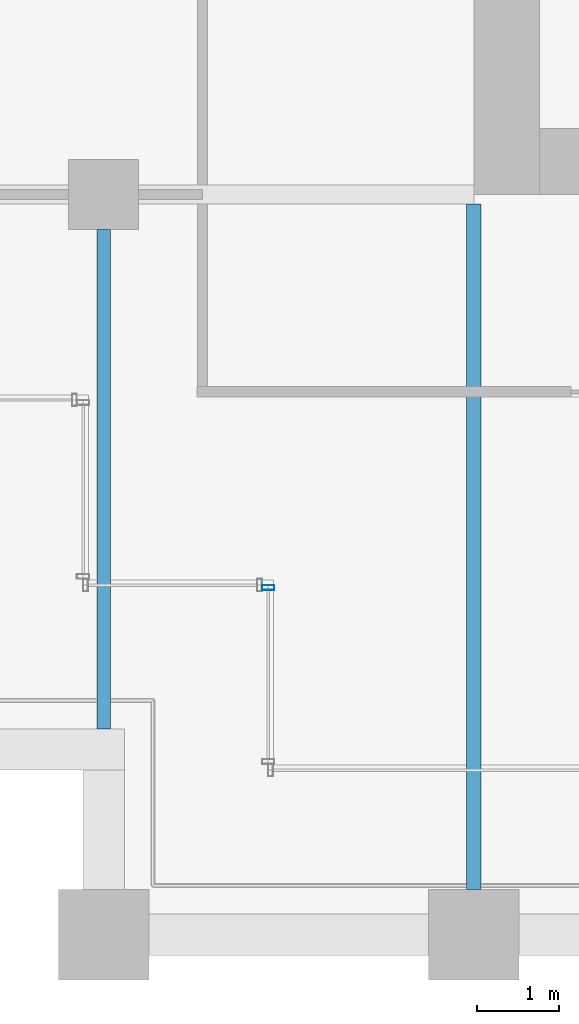
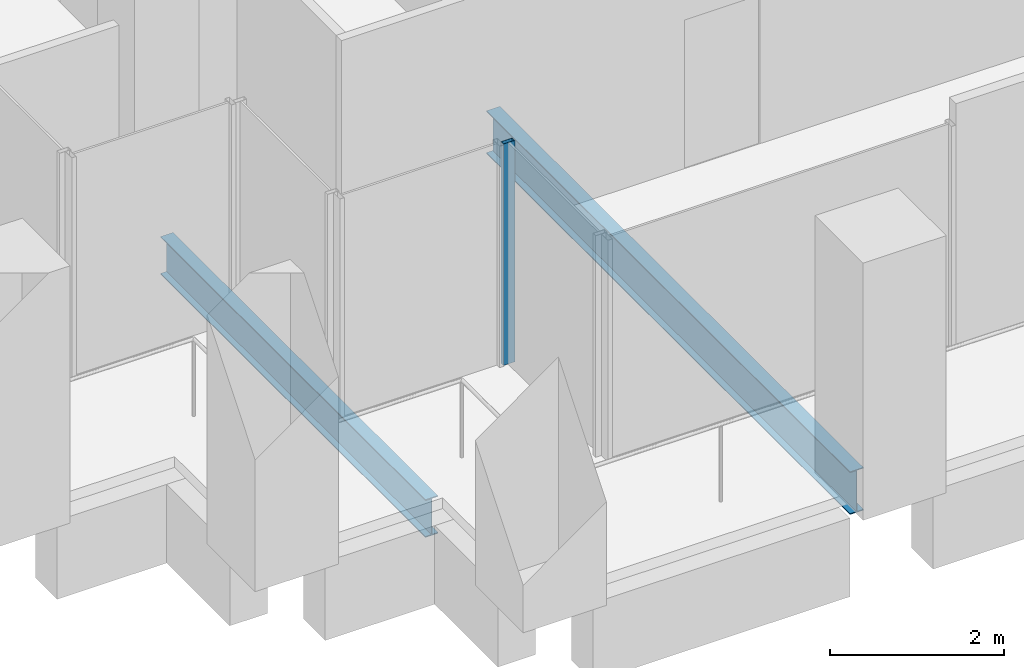
# One storey, part 35 of 56: 2 beams, 1 member, 1 element without a shape of its own.
"""IFC4 building model written with IfcOpenShell, lengths in metres."""

import ifcopenshell
import ifcopenshell.guid

model = None  # the IFC model being written
_history = None  # IfcOwnerHistory: only IFC2X3 demands one
_inside = {}  # id of a spatial element -> (the spatial element, [elements in it])
_under = {}  # id of a project, library or spatial element -> (it, [spatial elements below it])
_declared = {}  # id of a project -> (the project, [libraries it declares])
_typed = {}  # id of a type object -> (the type object, [elements of that type])
_made_of = {}  # id of a material, layer set ... -> (it, [elements and type objects made of it])


def new_model(schema):
    """Start an empty IFC model of exactly this schema.

    Asked for "IFC4X3", IfcOpenShell would pick the latest addendum, in which some entities
    have other attributes; the version numbers below select the first issue.
    IFC2X3 requires an IfcOwnerHistory on every rooted entity: one is made here for all.
    """
    global model, _history
    if schema == "IFC4X3":
        model = ifcopenshell.file(schema_version=(4, 3, 0, 0))
    else:
        model = ifcopenshell.file(schema=schema)
    _inside.clear()
    _under.clear()
    _declared.clear()
    _typed.clear()
    _made_of.clear()
    _history = None
    if model.schema == "IFC2X3":
        org = make("IfcOrganization", Name="unknown")
        user = make(
            "IfcPersonAndOrganization",
            ThePerson=make("IfcPerson", FamilyName="unknown"),
            TheOrganization=org,
        )
        app = make(
            "IfcApplication",
            ApplicationDeveloper=org,
            Version="unknown",
            ApplicationFullName="unknown",
            ApplicationIdentifier="unknown",
        )
        _history = make(
            "IfcOwnerHistory",
            OwningUser=user,
            OwningApplication=app,
            ChangeAction="ADDED",
            CreationDate=0,
        )
    return model


def make(cls, **values):
    """One entity of the class cls with the attributes given. An attribute that is None is left unset."""
    return model.create_entity(
        cls, **{name: value for name, value in values.items() if value is not None}
    )


def rooted(cls, **values):
    """An entity with a GlobalId (a new one), such as an element, a storey or a relation."""
    return make(cls, GlobalId=ifcopenshell.guid.new(), OwnerHistory=_history, **values)


def si_unit(unit_type, name, prefix=None):
    """IfcSIUnit, for example si_unit("LENGTHUNIT", "METRE", prefix="MILLI")."""
    return make("IfcSIUnit", UnitType=unit_type, Prefix=prefix, Name=name)


def assignment(units):
    """IfcUnitAssignment: the units of a project."""
    return None if units is None else make("IfcUnitAssignment", Units=units)


def point(xyz):
    """IfcCartesianPoint."""
    return None if xyz is None else make("IfcCartesianPoint", Coordinates=xyz)


def direction(xyz):
    """IfcDirection."""
    return None if xyz is None else make("IfcDirection", DirectionRatios=xyz)


def frame(location, z_axis=None, x_axis=None):
    """IfcAxis2Placement3D, a coordinate frame: its origin and axes. An axis left out is left unset."""
    return make(
        "IfcAxis2Placement3D",
        Location=point(location),
        Axis=direction(z_axis),
        RefDirection=direction(x_axis),
    )


def frame_2d(location, x_axis=None):
    """IfcAxis2Placement2D, a coordinate frame in the plane: its origin and x axis."""
    return make(
        "IfcAxis2Placement2D", Location=point(location), RefDirection=direction(x_axis)
    )


def origin():
    """The frame at (0, 0, 0) with its axes left unset."""
    return frame((0.0, 0.0, 0.0))


def origin_2d():
    """The frame at (0, 0) in the plane with its x axis left unset."""
    return frame_2d((0.0, 0.0))


def place(relative_to, where):
    """IfcLocalPlacement: puts the frame where relative to a parent placement (None: the world)."""
    return make(
        "IfcLocalPlacement", PlacementRelTo=relative_to, RelativePlacement=where
    )


def context(
    kind, dimensions, precision=None, world=None, true_north=None, identifier=None
):
    """IfcGeometricRepresentationContext, for example the 3D "Model" context."""
    return make(
        "IfcGeometricRepresentationContext",
        ContextIdentifier=identifier,
        ContextType=kind,
        CoordinateSpaceDimension=dimensions,
        Precision=precision,
        WorldCoordinateSystem=world,
        TrueNorth=true_north,
    )


def subcontext(parent, identifier, kind, view, scale=None):
    """IfcGeometricRepresentationSubContext, for example "Body" below "Model"."""
    return make(
        "IfcGeometricRepresentationSubContext",
        ContextIdentifier=identifier,
        ContextType=kind,
        ParentContext=parent,
        TargetScale=scale,
        TargetView=view,
    )


def project(units=None, contexts=None):
    """IfcProject with its units and contexts."""
    return rooted(
        "IfcProject",
        Name="project",
        RepresentationContexts=contexts,
        UnitsInContext=assignment(units),
    )


def spatial(cls, under=None, at=None, **own):
    """A site, building, storey or space (cls), placed at a placement, below another one or the project."""
    s = rooted(cls, ObjectPlacement=at, **own)
    if under is not None:
        _under.setdefault(under.id(), (under, []))[1].append(s)
    return s


def profile(cls, at=None, kind="AREA", **sizes):
    """A parametric profile (cls). Its sizes go by their IFC names, for example OverallWidth=200.0."""
    return make(cls, ProfileType=kind, Position=at, **sizes)


def hollow_rectangle(**sizes):
    """IfcRectangleHollowProfileDef."""
    return profile("IfcRectangleHollowProfileDef", **sizes)


def i_section(**sizes):
    """IfcIShapeProfileDef."""
    return profile("IfcIShapeProfileDef", **sizes)


def extrude(swept, where, along, depth):
    """IfcExtrudedAreaSolid: the profile swept, set in the frame where, extruded along a direction by depth."""
    return make(
        "IfcExtrudedAreaSolid",
        SweptArea=swept,
        Position=where,
        ExtrudedDirection=direction(along),
        Depth=depth,
    )


def shape(context_of_items, identifier, shape_type, items):
    """IfcShapeRepresentation: the items that make up one representation, for example the "Body"."""
    return make(
        "IfcShapeRepresentation",
        ContextOfItems=context_of_items,
        RepresentationIdentifier=identifier,
        RepresentationType=shape_type,
        Items=items,
    )


def material(Name=None, Category=None):
    """IfcMaterial."""
    return make("IfcMaterial", Name=Name, Category=Category)


def material_profile(
    of_material, cross_section, Name=None, Category=None, Priority=None
):
    """IfcMaterialProfile: a cross section and its material."""
    return make(
        "IfcMaterialProfile",
        Name=Name,
        Material=of_material,
        Profile=cross_section,
        Priority=Priority,
        Category=Category,
    )


def profile_set(profiles, Name=None, composite=None):
    """IfcMaterialProfileSet."""
    return make(
        "IfcMaterialProfileSet",
        Name=Name,
        MaterialProfiles=profiles,
        CompositeProfile=composite,
    )


def made_of(thing, what):
    """Note that an element or type object is made of a material, layer set ...; save() writes the relation."""
    if what is not None:
        _made_of.setdefault(what.id(), (what, []))[1].append(thing)
    return thing


def type_object(cls, material=None, **own):
    """A type object (cls), such as IfcWallType, which elements share."""
    return made_of(rooted(cls, **own), material)


def element(
    cls,
    number,
    at=None,
    inside=None,
    cuts=None,
    type_object=None,
    material=None,
    context=None,
    identifier="Body",
    shape_type=None,
    held_by="IfcProductDefinitionShape",
    body=None,
    shapes=None,
    **own,
):
    """One element of the class cls, such as IfcWall. Its Tag is "e" and its number.

    at: its placement. inside: the storey or other place that contains it. cuts: it is an
    opening in that element (IfcRelVoidsElement). A single representation is given by context,
    identifier, shape_type and body (its items); several are given by shapes. held_by: the class
    of the entity that holds the representations. save() writes the other relations.
    """
    e = rooted(cls, Tag="e%d" % number, ObjectPlacement=at, **own)
    if body is not None:
        shapes = [shape(context, identifier, shape_type, body)]
    if shapes is not None:
        e.Representation = make(held_by, Representations=shapes)
    if inside is not None:
        _inside.setdefault(inside.id(), (inside, []))[1].append(e)
    if cuts is not None:
        rooted(
            "IfcRelVoidsElement", RelatingBuildingElement=cuts, RelatedOpeningElement=e
        )
    if type_object is not None:
        _typed.setdefault(type_object.id(), (type_object, []))[1].append(e)
    return made_of(e, material)


def aggregate(whole, parts):
    """IfcRelAggregates: a whole, such as a stair, and the parts it consists of."""
    return rooted("IfcRelAggregates", RelatingObject=whole, RelatedObjects=parts)


def save(model, path):
    """Write the relations noted so far, then the file.

    IfcRelAggregates (storeys below a building ...), IfcRelContainedInSpatialStructure (elements
    in a storey), IfcRelDefinesByType, IfcRelAssociatesMaterial and IfcRelDeclares: one each for
    every whole, place, type object, material and project.
    """
    for whole, parts in _under.values():
        aggregate(whole, parts)
    for where, things in _inside.values():
        rooted(
            "IfcRelContainedInSpatialStructure",
            RelatedElements=things,
            RelatingStructure=where,
        )
    for kind, things in _typed.values():
        rooted("IfcRelDefinesByType", RelatedObjects=things, RelatingType=kind)
    for what, things in _made_of.values():
        rooted("IfcRelAssociatesMaterial", RelatedObjects=things, RelatingMaterial=what)
    for by, libraries in _declared.values():
        rooted("IfcRelDeclares", RelatingContext=by, RelatedDefinitions=libraries)
    model.write(path)


model = new_model("IFC4")

# Units and contexts
model_context = context("Model", 3, precision=1e-05, world=origin(), true_north=direction((0.0, 1.0)))
body_context = subcontext(model_context, "Body", "Model", "MODEL_VIEW")
ifc_project = project(units=[si_unit("LENGTHUNIT", "METRE"), si_unit("AREAUNIT", "SQUARE_METRE"), si_unit("VOLUMEUNIT", "CUBIC_METRE"), si_unit("PLANEANGLEUNIT", "RADIAN"), si_unit("MASSUNIT", "GRAM", prefix="KILO")], contexts=[model_context])

# Site, building, storey
site_placement = place(None, origin())
site = spatial("IfcSite", under=ifc_project, at=site_placement, CompositionType="ELEMENT")
building_placement = place(site_placement, origin())
building = spatial("IfcBuilding", under=site, at=building_placement, Name="Altepetl Exchange Towers", CompositionType="ELEMENT")
storey_placement = place(building_placement, frame((0.0, 0.0, 83.39990234375)))
storey = spatial("IfcBuildingStorey", under=building, at=storey_placement, Name="L20", CompositionType="ELEMENT", Elevation=83.39990234375)

# Beams
ifc_material_1 = material(Name="Steel S355", Category="steel")
ifc_material_profile_1 = material_profile(ifc_material_1, i_section(OverallWidth=0.166015625, OverallDepth=0.529052734375, WebThickness=0.009765625, FlangeThickness=0.013671875, at=origin_2d()), Name="W21X50")
ifc_profile_set_1 = profile_set([ifc_material_profile_1], Name="Steel S355")
beam_type_1 = type_object("IfcBeamType", Name="Floor beam W21X50", PredefinedType="BEAM", material=ifc_profile_set_1)
beam_1_placement = place(storey_placement, frame((99.0, 29.5, -0.414306640625), z_axis=(0.0, 1.0, 0.0), x_axis=(-1.0, 0.0, 0.0)))
element("IfcBeam", 1, at=beam_1_placement, inside=storey, type_object=beam_type_1, Name="bm:B:L20:008", PredefinedType="BEAM", context=body_context, shape_type="SweptSolid", body=[
    extrude(i_section(OverallWidth=0.166015625, OverallDepth=0.529052734375, WebThickness=0.009765625, FlangeThickness=0.013671875, at=origin_2d()), origin(), (0.0, 0.0, 1.0), 6.074951171875),
])
ifc_material_profile_2 = material_profile(ifc_material_1, i_section(OverallWidth=0.177978515625, OverallDepth=0.59912109375, WebThickness=0.010009765625, FlangeThickness=0.0126953125, at=origin_2d()), Name="W24X55")
ifc_profile_set_2 = profile_set([ifc_material_profile_2], Name="Steel S355")
beam_type_2 = type_object("IfcBeamType", Name="Floor beam W24X55", PredefinedType="BEAM", material=ifc_profile_set_2)
beam_2_placement = place(storey_placement, frame((103.5, 27.550048828125, -0.449462890625), z_axis=(0.0, 1.0, 0.0), x_axis=(-1.0, 0.0, 0.0)))
element("IfcBeam", 2, at=beam_2_placement, inside=storey, type_object=beam_type_2, Name="bm:B:L20:009", PredefinedType="BEAM", context=body_context, shape_type="SweptSolid", body=[
    extrude(i_section(OverallWidth=0.177978515625, OverallDepth=0.59912109375, WebThickness=0.010009765625, FlangeThickness=0.0126953125, at=origin_2d()), origin(), (0.0, 0.0, 1.0), 8.3359375),
])

# Curtain wall, member
ifc_material_2 = material(Name="Aluminium 6063-T6 glazing", Category="aluminium")
curtain_wall_type = type_object("IfcCurtainWallType", Name="Loggia glazing system", PredefinedType="NOTDEFINED", material=ifc_material_2)
curtain_wall_placement = place(storey_placement, origin())
curtain_wall = element("IfcCurtainWall", 3, at=curtain_wall_placement, inside=storey, type_object=curtain_wall_type, Name="CW1 run", PredefinedType="NOTDEFINED")
ifc_material_3 = material(Name="Aluminium 6063-T6", Category="aluminium")
ifc_material_profile_3 = material_profile(ifc_material_3, hollow_rectangle(XDim=0.06005859375, YDim=0.14990234375, WallThickness=0.0029296875, at=origin_2d()), Name="Mullion 60x150 aluminium")
ifc_profile_set_3 = profile_set([ifc_material_profile_3], Name="Aluminium 6063-T6")
member_type = type_object("IfcMemberType", Name="Mullion 60x150 aluminium", PredefinedType="MULLION", material=ifc_profile_set_3)
member_placement = place(storey_placement, frame((101.0, 31.219970703125, 0.0), z_axis=(0.0, 0.0, 1.0), x_axis=(0.0, -1.0, 0.0)))
member = element("IfcMember", 4, at=member_placement, type_object=member_type, Name="MU1 mullion", PredefinedType="MULLION", context=body_context, shape_type="SweptSolid", body=[
    extrude(hollow_rectangle(XDim=0.06005859375, YDim=0.14990234375, WallThickness=0.0029296875, at=origin_2d()), origin(), (0.0, 0.0, 1.0), 3.10009765625),
])
aggregate(curtain_wall, [member])

save(model, "model.ifc")
